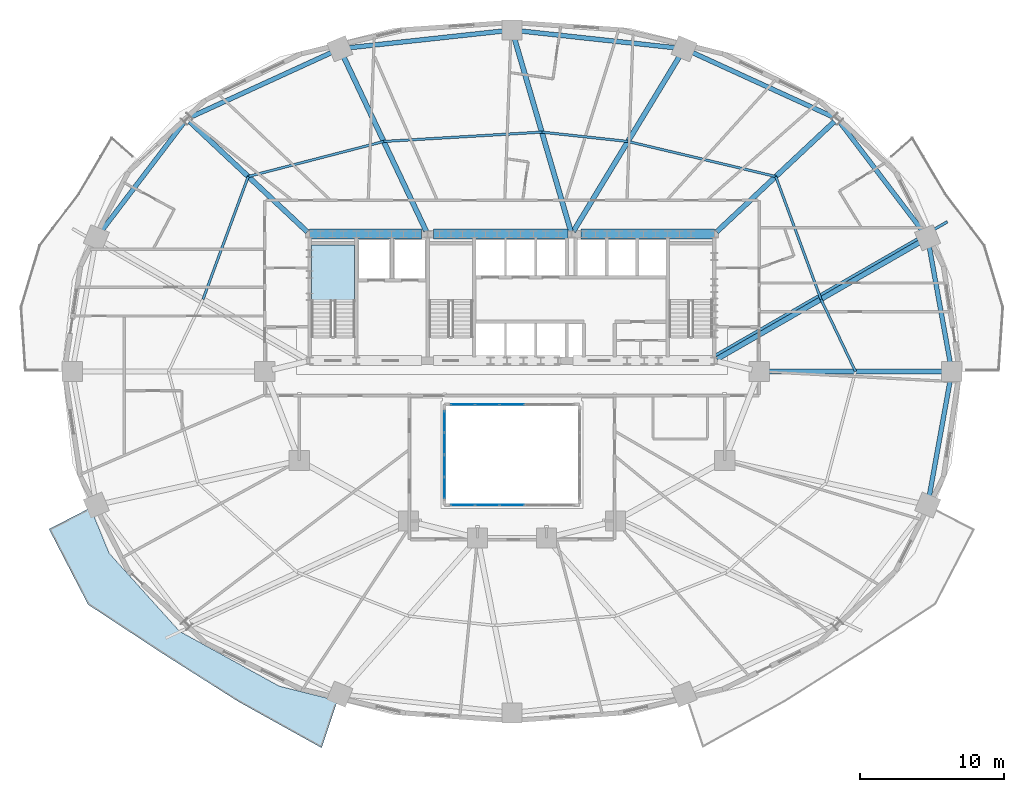
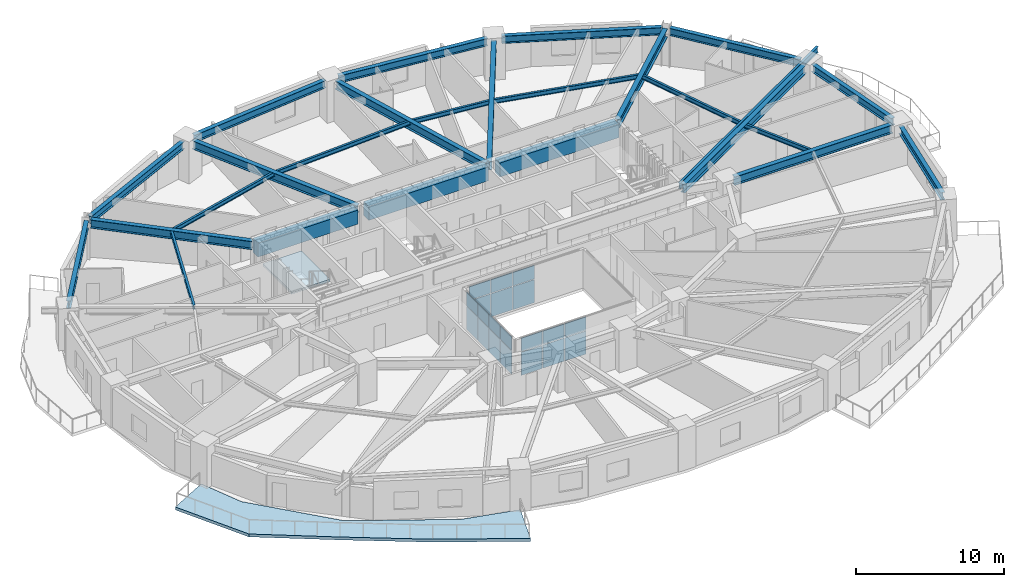
# One storey, part 7 of 18: 26 beams, 20 plates, 2 slabs, 4 elements without a shape of their own.
"""IFC4 building model written with IfcOpenShell, lengths in metres."""

from ifc_helpers import new_model, si_unit, direction, frame, origin, origin_2d, place, context, subcontext, project, spatial, polyline, rectangle, i_section, outline, extrude, material, layer, layer_set, material_profile, profile_set, type_object, element, aggregate, save


model = new_model("IFC4")

# Units and contexts
model_context = context("Model", 3, precision=1e-05, world=origin(), true_north=direction((0.0, 1.0)))
body_context = subcontext(model_context, "Body", "Model", "MODEL_VIEW")
ifc_project = project(units=[si_unit("LENGTHUNIT", "METRE"), si_unit("AREAUNIT", "SQUARE_METRE"), si_unit("VOLUMEUNIT", "CUBIC_METRE"), si_unit("PLANEANGLEUNIT", "RADIAN"), si_unit("MASSUNIT", "GRAM", prefix="KILO")], contexts=[model_context])

# Site, building, storey
site_placement = place(None, origin())
site = spatial("IfcSite", under=ifc_project, at=site_placement, CompositionType="ELEMENT")
building_placement = place(site_placement, origin())
building = spatial("IfcBuilding", under=site, at=building_placement, Name="Haldorwick Loom Tower", CompositionType="ELEMENT")
storey_placement = place(building_placement, frame((0.0, 0.0, 41.25)))
storey = spatial("IfcBuildingStorey", under=building, at=storey_placement, Name="L10", CompositionType="ELEMENT", Elevation=41.25)

# Beams
ifc_material_1 = material(Name="Steel CSA G40.21 350W", Category="steel")
ifc_material_profile_1 = material_profile(ifc_material_1, i_section(OverallWidth=0.193115234375, OverallDepth=0.466064453125, WebThickness=0.011474609375, FlangeThickness=0.01904296875, at=origin_2d()), Name="W460X97", Category="steel")
ifc_profile_set_1 = profile_set([ifc_material_profile_1], Name="Steel CSA G40.21 350W")
beam_type_1 = type_object("IfcBeamType", Name="STR-BM-BAL460", PredefinedType="BEAM", material=ifc_profile_set_1)
beam_1_placement = place(storey_placement, frame((50.125244140625, 27.10498046875, 2.97705078125), z_axis=(0.866607024941, 0.49899124674, 0.0), x_axis=(-0.49899124674, 0.866607024941, 0.0)))
element("IfcBeam", 1, at=beam_1_placement, inside=storey, type_object=beam_type_1, Name="L10 Continuous Back-Spanned Balcony Beam 4", PredefinedType="BEAM", context=body_context, shape_type="SweptSolid", body=[
    extrude(i_section(OverallWidth=0.193115234375, OverallDepth=0.466064453125, WebThickness=0.011474609375, FlangeThickness=0.01904296875, at=origin_2d()), origin(), (0.0, 0.0, 1.0), 18.65771484375),
])
ifc_material_2 = material(Name="Concrete C60 (60 MPa)", Category="concrete")
ifc_material_profile_2 = material_profile(ifc_material_2, rectangle(XDim=0.699951171875, YDim=1.14990234375, at=origin_2d()), Name="RC700X1150", Category="concrete")
ifc_profile_set_2 = profile_set([ifc_material_profile_2], Name="Concrete C60 (60 MPa)")
beam_type_2 = type_object("IfcBeamType", Name="STR-BM-CB1150", PredefinedType="LINTEL", material=ifc_profile_set_2)
beam_2_placement = place(storey_placement, frame((21.89990234375, 35.550048828125, 2.635009765625), z_axis=(1.0, 0.0, 0.0), x_axis=(0.0, 1.0, 0.0)))
element("IfcBeam", 2, at=beam_2_placement, inside=storey, type_object=beam_type_2, Name="L10 Core Coupling Beam CB-N1", PredefinedType="LINTEL", context=body_context, shape_type="SweptSolid", body=[
    extrude(rectangle(XDim=0.699951171875, YDim=1.14990234375, at=origin_2d()), origin(), (0.0, 0.0, 1.0), 7.800048828125),
])
beam_3_placement = place(storey_placement, frame((30.550048828125, 35.550048828125, 2.635009765625), z_axis=(1.0, 0.0, 0.0), x_axis=(0.0, 1.0, 0.0)))
element("IfcBeam", 3, at=beam_3_placement, inside=storey, type_object=beam_type_2, Name="L10 Core Coupling Beam CB-N2", PredefinedType="LINTEL", context=body_context, shape_type="SweptSolid", body=[
    extrude(rectangle(XDim=0.699951171875, YDim=1.14990234375, at=origin_2d()), origin(), (0.0, 0.0, 1.0), 9.349853515625),
])
beam_4_placement = place(storey_placement, frame((40.800048828125, 35.550048828125, 2.635009765625), z_axis=(1.0, 0.0, 0.0), x_axis=(0.0, 1.0, 0.0)))
element("IfcBeam", 4, at=beam_4_placement, inside=storey, type_object=beam_type_2, Name="L10 Core Coupling Beam CB-N3", PredefinedType="LINTEL", context=body_context, shape_type="SweptSolid", body=[
    extrude(rectangle(XDim=0.699951171875, YDim=1.14990234375, at=origin_2d()), origin(), (0.0, 0.0, 1.0), 9.300048828125),
])
ifc_material_profile_3 = material_profile(ifc_material_1, i_section(OverallWidth=0.172119140625, OverallDepth=0.35791015625, WebThickness=0.0078125, FlangeThickness=0.01318359375, at=origin_2d()), Name="W360X57", Category="steel")
ifc_profile_set_3 = profile_set([ifc_material_profile_3], Name="Steel CSA G40.21 350W")
beam_type_3 = type_object("IfcBeamType", Name="STR-BM-J360", PredefinedType="JOIST", material=ifc_profile_set_3)
beam_5_placement = place(storey_placement, frame((59.89794921875, 26.0, 3.031005859375), z_axis=(-0.431630738849, 0.902050389546, 0.0), x_axis=(-0.902050389546, -0.431630738849, 0.0)))
element("IfcBeam", 5, at=beam_5_placement, inside=storey, type_object=beam_type_3, Name="L10 Mid-Bay Secondary Joist 1", PredefinedType="JOIST", context=body_context, shape_type="SweptSolid", body=[
    extrude(i_section(OverallWidth=0.172119140625, OverallDepth=0.35791015625, WebThickness=0.0078125, FlangeThickness=0.01318359375, at=origin_2d()), origin(), (0.0, 0.0, 1.0), 5.5703125),
])
beam_6_placement = place(storey_placement, frame((57.49365234375, 31.024658203125, 3.031005859375), z_axis=(-0.345576005762, 0.938390763084, 0.0), x_axis=(-0.938390763084, -0.345576005762, 0.0)))
element("IfcBeam", 6, at=beam_6_placement, inside=storey, type_object=beam_type_3, Name="L10 Mid-Bay Secondary Joist 2", PredefinedType="JOIST", context=body_context, shape_type="SweptSolid", body=[
    extrude(i_section(OverallWidth=0.172119140625, OverallDepth=0.35791015625, WebThickness=0.0078125, FlangeThickness=0.01318359375, at=origin_2d()), origin(), (0.0, 0.0, 1.0), 9.0966796875),
])
beam_7_placement = place(storey_placement, frame((54.35009765625, 39.560791015625, 3.031005859375), z_axis=(-0.973016191143, 0.230736845289, 0.0), x_axis=(-0.230736845289, -0.973016191143, 0.0)))
element("IfcBeam", 7, at=beam_7_placement, inside=storey, type_object=beam_type_3, Name="L10 Mid-Bay Secondary Joist 3", PredefinedType="JOIST", context=body_context, shape_type="SweptSolid", body=[
    extrude(i_section(OverallWidth=0.172119140625, OverallDepth=0.35791015625, WebThickness=0.0078125, FlangeThickness=0.01318359375, at=origin_2d()), origin(), (0.0, 0.0, 1.0), 10.5712890625),
])
beam_8_placement = place(storey_placement, frame((44.06396484375, 42.0, 3.031005859375), z_axis=(-0.994163660215, 0.107882420753, 0.0), x_axis=(-0.107882420753, -0.994163660215, 0.0)))
element("IfcBeam", 8, at=beam_8_placement, inside=storey, type_object=beam_type_3, Name="L10 Mid-Bay Secondary Joist 4", PredefinedType="JOIST", context=body_context, shape_type="SweptSolid", body=[
    extrude(i_section(OverallWidth=0.172119140625, OverallDepth=0.35791015625, WebThickness=0.0078125, FlangeThickness=0.01318359375, at=origin_2d()), origin(), (0.0, 0.0, 1.0), 6.024169921875),
])
beam_9_placement = place(storey_placement, frame((38.074951171875, 42.64990234375, 3.031005859375), z_axis=(-0.998258904552, -0.058984400336, 0.0), x_axis=(0.058984400336, -0.998258904552, 0.0)))
element("IfcBeam", 9, at=beam_9_placement, inside=storey, type_object=beam_type_3, Name="L10 Mid-Bay Secondary Joist 5", PredefinedType="JOIST", context=body_context, shape_type="SweptSolid", body=[
    extrude(i_section(OverallWidth=0.172119140625, OverallDepth=0.35791015625, WebThickness=0.0078125, FlangeThickness=0.01318359375, at=origin_2d()), origin(), (0.0, 0.0, 1.0), 11.018310546875),
])
beam_10_placement = place(storey_placement, frame((27.075927734375, 42.0, 3.031005859375), z_axis=(-0.968110955806, -0.250521809927, 0.0), x_axis=(0.250521809927, -0.968110955806, 0.0)))
element("IfcBeam", 10, at=beam_10_placement, inside=storey, type_object=beam_type_3, Name="L10 Mid-Bay Secondary Joist 6", PredefinedType="JOIST", context=body_context, shape_type="SweptSolid", body=[
    extrude(i_section(OverallWidth=0.172119140625, OverallDepth=0.35791015625, WebThickness=0.0078125, FlangeThickness=0.01318359375, at=origin_2d()), origin(), (0.0, 0.0, 1.0), 9.736572265625),
])
beam_11_placement = place(storey_placement, frame((17.64990234375, 39.560791015625, 3.031005859375), z_axis=(-0.345576005762, -0.938390763084, 0.0), x_axis=(0.938390763084, -0.345576005762, 0.0)))
element("IfcBeam", 11, at=beam_11_placement, inside=storey, type_object=beam_type_3, Name="L10 Mid-Bay Secondary Joist 7", PredefinedType="JOIST", context=body_context, shape_type="SweptSolid", body=[
    extrude(i_section(OverallWidth=0.172119140625, OverallDepth=0.35791015625, WebThickness=0.0078125, FlangeThickness=0.01318359375, at=origin_2d()), origin(), (0.0, 0.0, 1.0), 9.0966796875),
])
ifc_material_profile_4 = material_profile(ifc_material_1, i_section(OverallWidth=0.324951171875, OverallDepth=0.615966796875, WebThickness=0.013916015625, FlangeThickness=0.021484375, at=origin_2d()), Name="W610X174", Category="steel")
ifc_profile_set_4 = profile_set([ifc_material_profile_4], Name="Steel CSA G40.21 350W")
beam_type_4 = type_object("IfcBeamType", Name="STR-BM-SP610", PredefinedType="SPANDREL", material=ifc_profile_set_4)
beam_12_placement = place(storey_placement, frame((66.503662109375, 26.51171875, 2.902099609375), z_axis=(-0.177641139482, 0.984095333575, 0.0), x_axis=(-0.984095333575, -0.177641139482, 0.0)))
element("IfcBeam", 12, at=beam_12_placement, inside=storey, type_object=beam_type_4, Name="L10 Perimeter Spandrel 1", PredefinedType="SPANDREL", context=body_context, shape_type="SweptSolid", body=[
    extrude(i_section(OverallWidth=0.324951171875, OverallDepth=0.615966796875, WebThickness=0.013916015625, FlangeThickness=0.021484375, at=origin_2d()), origin(), (0.0, 0.0, 1.0), 8.40966796875),
])
beam_13_placement = place(storey_placement, frame((64.602783203125, 35.713134765625, 2.902099609375), z_axis=(-0.605084557744, 0.796161213562, 0.0), x_axis=(-0.796161213562, -0.605084557744, 0.0)))
element("IfcBeam", 13, at=beam_13_placement, inside=storey, type_object=beam_type_4, Name="L10 Perimeter Spandrel 2", PredefinedType="SPANDREL", context=body_context, shape_type="SweptSolid", body=[
    extrude(i_section(OverallWidth=0.324951171875, OverallDepth=0.615966796875, WebThickness=0.013916015625, FlangeThickness=0.021484375, at=origin_2d()), origin(), (0.0, 0.0, 1.0), 9.595703125),
])
beam_14_placement = place(storey_placement, frame((58.380126953125, 43.68603515625, 2.902099609375), z_axis=(-0.909173805321, 0.416416848504, 0.0), x_axis=(-0.416416848504, -0.909173805321, 0.0)))
element("IfcBeam", 14, at=beam_14_placement, inside=storey, type_object=beam_type_4, Name="L10 Perimeter Spandrel 3", PredefinedType="SPANDREL", context=body_context, shape_type="SweptSolid", body=[
    extrude(i_section(OverallWidth=0.324951171875, OverallDepth=0.615966796875, WebThickness=0.013916015625, FlangeThickness=0.021484375, at=origin_2d()), origin(), (0.0, 0.0, 1.0), 10.92138671875),
])
for number, where, z_axis, x_axis, name in (
    (15, (47.4609375, 48.50634765625, 2.902099609375), (-0.994164438636, 0.107875247167, 0.0), (-0.107875247167, -0.994164438636, 0.0), "L10 Perimeter Spandrel 4"),
    (16, (35.48291015625, 49.69384765625, 2.902099609375), (-0.994164438636, -0.107875247167, 0.0), (0.107875247167, -0.994164438636, 0.0), "L10 Perimeter Spandrel 5"),
):
    element("IfcBeam", number, at=place(storey_placement, frame(where, z_axis=z_axis, x_axis=x_axis)), inside=storey, type_object=beam_type_4, Name=name, PredefinedType="SPANDREL", context=body_context, shape_type="SweptSolid", body=[
        extrude(i_section(OverallWidth=0.324951171875, OverallDepth=0.615966796875, WebThickness=0.013916015625, FlangeThickness=0.021484375, at=origin_2d()), origin(), (0.0, 0.0, 1.0), 11.008056640625),
    ])
beam_15_placement = place(storey_placement, frame((23.54931640625, 48.23388671875, 2.902099609375), z_axis=(-0.909173805321, -0.416416848504, 0.0), x_axis=(0.416416848504, -0.909173805321, 0.0)))
element("IfcBeam", 17, at=beam_15_placement, inside=storey, type_object=beam_type_4, Name="L10 Perimeter Spandrel 6", PredefinedType="SPANDREL", context=body_context, shape_type="SweptSolid", body=[
    extrude(i_section(OverallWidth=0.324951171875, OverallDepth=0.615966796875, WebThickness=0.013916015625, FlangeThickness=0.021484375, at=origin_2d()), origin(), (0.0, 0.0, 1.0), 10.92138671875),
])
beam_16_placement = place(storey_placement, frame((13.203369140625, 43.352783203125, 2.902099609375), z_axis=(-0.605084557744, -0.796161213562, 0.0), x_axis=(0.796161213562, -0.605084557744, 0.0)))
element("IfcBeam", 18, at=beam_16_placement, inside=storey, type_object=beam_type_4, Name="L10 Perimeter Spandrel 7", PredefinedType="SPANDREL", context=body_context, shape_type="SweptSolid", body=[
    extrude(i_section(OverallWidth=0.324951171875, OverallDepth=0.615966796875, WebThickness=0.013916015625, FlangeThickness=0.021484375, at=origin_2d()), origin(), (0.0, 0.0, 1.0), 9.595703125),
])
beam_17_placement = place(storey_placement, frame((65.009765625, 17.21240234375, 2.902099609375), z_axis=(0.177641139482, 0.984095333575, 0.0), x_axis=(-0.984095333575, 0.177641139482, 0.0)))
element("IfcBeam", 19, at=beam_17_placement, inside=storey, type_object=beam_type_4, Name="L10 Perimeter Spandrel 16", PredefinedType="SPANDREL", context=body_context, shape_type="SweptSolid", body=[
    extrude(i_section(OverallWidth=0.324951171875, OverallDepth=0.615966796875, WebThickness=0.013916015625, FlangeThickness=0.021484375, at=origin_2d()), origin(), (0.0, 0.0, 1.0), 8.40966796875),
])
ifc_material_profile_5 = material_profile(ifc_material_1, i_section(OverallWidth=0.35498046875, OverallDepth=0.695068359375, WebThickness=0.015380859375, FlangeThickness=0.02490234375, at=origin_2d()), Name="W690X217", Category="steel")
ifc_profile_set_5 = profile_set([ifc_material_profile_5], Name="Steel CSA G40.21 350W")
beam_type_5 = type_object("IfcBeamType", Name="STR-BM-W690", PredefinedType="BEAM", material=ifc_profile_set_5)
beam_18_placement = place(storey_placement, frame((53.719970703125, 26.0, 2.862548828125), z_axis=(1.0, 0.0, 0.0), x_axis=(0.0, 1.0, 0.0)))
element("IfcBeam", 20, at=beam_18_placement, inside=storey, type_object=beam_type_5, Name="L10 Radial Floor Girder 1", PredefinedType="BEAM", context=body_context, shape_type="SweptSolid", body=[
    extrude(i_section(OverallWidth=0.35498046875, OverallDepth=0.695068359375, WebThickness=0.015380859375, FlangeThickness=0.02490234375, at=origin_2d()), origin(), (0.0, 0.0, 1.0), 12.35595703125),
])
beam_19_placement = place(storey_placement, frame((50.264892578125, 26.8623046875, 2.862548828125), z_axis=(0.86660566838, 0.498993602696, 0.0), x_axis=(-0.498993602696, 0.86660566838, 0.0)))
element("IfcBeam", 21, at=beam_19_placement, inside=storey, type_object=beam_type_5, Name="L10 Radial Floor Girder 2", PredefinedType="BEAM", context=body_context, shape_type="SweptSolid", body=[
    extrude(i_section(OverallWidth=0.35498046875, OverallDepth=0.695068359375, WebThickness=0.015380859375, FlangeThickness=0.02490234375, at=origin_2d()), origin(), (0.0, 0.0, 1.0), 16.387939453125),
])
beam_20_placement = place(storey_placement, frame((50.234130859375, 35.703857421875, 2.862548828125), z_axis=(0.729689033278, 0.683779141766, 0.0), x_axis=(-0.683779141766, 0.729689033278, 0.0)))
element("IfcBeam", 22, at=beam_20_placement, inside=storey, type_object=beam_type_5, Name="L10 Radial Floor Girder 3", PredefinedType="BEAM", context=body_context, shape_type="SweptSolid", body=[
    extrude(i_section(OverallWidth=0.35498046875, OverallDepth=0.695068359375, WebThickness=0.015380859375, FlangeThickness=0.02490234375, at=origin_2d()), origin(), (0.0, 0.0, 1.0), 11.231201171875),
])
beam_21_placement = place(storey_placement, frame((40.2666015625, 35.742431640625, 2.862548828125), z_axis=(0.518781813409, 0.854906679162, 0.0), x_axis=(-0.854906679162, 0.518781813409, 0.0)))
element("IfcBeam", 23, at=beam_21_placement, inside=storey, type_object=beam_type_5, Name="L10 Radial Floor Girder 4", PredefinedType="BEAM", context=body_context, shape_type="SweptSolid", body=[
    extrude(i_section(OverallWidth=0.35498046875, OverallDepth=0.695068359375, WebThickness=0.015380859375, FlangeThickness=0.02490234375, at=origin_2d()), origin(), (0.0, 0.0, 1.0), 14.344482421875),
])
beam_22_placement = place(storey_placement, frame((40.0869140625, 35.76611328125, 2.862548828125), z_axis=(-0.28051378914, 0.959849995625, 0.0), x_axis=(-0.959849995625, -0.28051378914, 0.0)))
element("IfcBeam", 24, at=beam_22_placement, inside=storey, type_object=beam_type_5, Name="L10 Radial Floor Girder 5", PredefinedType="BEAM", context=body_context, shape_type="SweptSolid", body=[
    extrude(i_section(OverallWidth=0.35498046875, OverallDepth=0.695068359375, WebThickness=0.015380859375, FlangeThickness=0.02490234375, at=origin_2d()), origin(), (0.0, 0.0, 1.0), 14.048828125),
])
beam_23_placement = place(storey_placement, frame((30.03369140625, 35.75341796875, 2.862548828125), z_axis=(-0.427945149389, 0.903804707398, 0.0), x_axis=(-0.903804707398, -0.427945149389, 0.0)))
element("IfcBeam", 25, at=beam_23_placement, inside=storey, type_object=beam_type_5, Name="L10 Radial Floor Girder 6", PredefinedType="BEAM", context=body_context, shape_type="SweptSolid", body=[
    extrude(i_section(OverallWidth=0.35498046875, OverallDepth=0.695068359375, WebThickness=0.015380859375, FlangeThickness=0.02490234375, at=origin_2d()), origin(), (0.0, 0.0, 1.0), 13.528076171875),
])
beam_24_placement = place(storey_placement, frame((21.765869140625, 35.703857421875, 2.862548828125), z_axis=(-0.729689033278, 0.683779141766, 0.0), x_axis=(-0.683779141766, -0.729689033278, 0.0)))
element("IfcBeam", 26, at=beam_24_placement, inside=storey, type_object=beam_type_5, Name="L10 Radial Floor Girder 7", PredefinedType="BEAM", context=body_context, shape_type="SweptSolid", body=[
    extrude(i_section(OverallWidth=0.35498046875, OverallDepth=0.695068359375, WebThickness=0.015380859375, FlangeThickness=0.02490234375, at=origin_2d()), origin(), (0.0, 0.0, 1.0), 11.231201171875),
])

# Curtain wall, plates
ifc_material_3 = material(Name="Thermally Broken Anodized Aluminium Curtain Wall Framing", Category="aluminium")
curtain_wall_type = type_object("IfcCurtainWallType", Name="ARC-CW-03", PredefinedType="NOTDEFINED", material=ifc_material_3)
curtain_wall_1_placement = place(storey_placement, origin())
curtain_wall_1 = element("IfcCurtainWall", 27, at=curtain_wall_1_placement, inside=storey, type_object=curtain_wall_type, Name="L10 Atrium Glazed Screen S", PredefinedType="NOTDEFINED")
ifc_material_4 = material(Name="Triple-Glazed Low-E Argon Insulated Glazing Unit", Category="glass")
ifc_layer_1 = layer(ifc_material_4, 0.04296875, Name="Triple-Glazed Low-E Argon Insulated Glazing Unit", Category="glass")
ifc_layer_set_1 = layer_set([ifc_layer_1], Name="Triple-Glazed Low-E Argon Insulated Glazing Unit")
plate_type = type_object("IfcPlateType", Name="ARC-CWP-03", PredefinedType="CURTAIN_PANEL", material=ifc_layer_set_1)
plate_1_placement = place(storey_placement, frame((36.0, 16.699951171875, 0.066162109375), z_axis=(0.0, 0.0, 1.0), x_axis=(-1.0, 0.0, 0.0)))
plate_1 = element("IfcPlate", 28, at=plate_1_placement, type_object=plate_type, Name="CW-03 panel 3.1", PredefinedType="CURTAIN_PANEL", context=body_context, shape_type="SweptSolid", body=[
    extrude(rectangle(XDim=1.654052734375, YDim=0.04296875, at=origin_2d()), origin(), (0.0, 0.0, 1.0), 1.90087890625),
])
plate_2_placement = place(storey_placement, frame((36.0, 16.699951171875, 2.03271484375), z_axis=(0.0, 0.0, 1.0), x_axis=(-1.0, 0.0, 0.0)))
plate_2 = element("IfcPlate", 29, at=plate_2_placement, type_object=plate_type, Name="CW-03 panel 3.2", PredefinedType="CURTAIN_PANEL", context=body_context, shape_type="SweptSolid", body=[
    extrude(rectangle(XDim=1.654052734375, YDim=0.04296875, at=origin_2d()), origin(), (0.0, 0.0, 1.0), 1.111083984375),
])
plate_3_placement = place(storey_placement, frame((34.280029296875, 16.699951171875, 0.066162109375), z_axis=(0.0, 0.0, 1.0), x_axis=(-1.0, 0.0, 0.0)))
plate_3 = element("IfcPlate", 30, at=plate_3_placement, type_object=plate_type, Name="CW-03 panel 4.1", PredefinedType="CURTAIN_PANEL", context=body_context, shape_type="SweptSolid", body=[
    extrude(rectangle(XDim=1.654052734375, YDim=0.04296875, at=origin_2d()), origin(), (0.0, 0.0, 1.0), 1.90087890625),
])
plate_4_placement = place(storey_placement, frame((34.280029296875, 16.699951171875, 2.03271484375), z_axis=(0.0, 0.0, 1.0), x_axis=(-1.0, 0.0, 0.0)))
plate_4 = element("IfcPlate", 31, at=plate_4_placement, type_object=plate_type, Name="CW-03 panel 4.2", PredefinedType="CURTAIN_PANEL", context=body_context, shape_type="SweptSolid", body=[
    extrude(rectangle(XDim=1.654052734375, YDim=0.04296875, at=origin_2d()), origin(), (0.0, 0.0, 1.0), 1.111083984375),
])
plate_5_placement = place(storey_placement, frame((32.576416015625, 16.699951171875, 0.066162109375), z_axis=(0.0, 0.0, 1.0), x_axis=(-1.0, 0.0, 0.0)))
plate_5 = element("IfcPlate", 32, at=plate_5_placement, type_object=plate_type, Name="CW-03 panel 5.1", PredefinedType="CURTAIN_PANEL", context=body_context, shape_type="SweptSolid", body=[
    extrude(rectangle(XDim=1.62109375, YDim=0.04296875, at=origin_2d()), origin(), (0.0, 0.0, 1.0), 1.90087890625),
])
plate_6_placement = place(storey_placement, frame((32.576416015625, 16.699951171875, 2.03271484375), z_axis=(0.0, 0.0, 1.0), x_axis=(-1.0, 0.0, 0.0)))
plate_6 = element("IfcPlate", 33, at=plate_6_placement, type_object=plate_type, Name="CW-03 panel 5.2", PredefinedType="CURTAIN_PANEL", context=body_context, shape_type="SweptSolid", body=[
    extrude(rectangle(XDim=1.62109375, YDim=0.04296875, at=origin_2d()), origin(), (0.0, 0.0, 1.0), 1.111083984375),
])
aggregate(curtain_wall_1, [plate_1, plate_2, plate_3, plate_4, plate_5, plate_6])

curtain_wall_2_placement = place(storey_placement, origin())
curtain_wall_2 = element("IfcCurtainWall", 34, at=curtain_wall_2_placement, inside=storey, type_object=curtain_wall_type, Name="L10 Atrium Glazed Screen N", PredefinedType="NOTDEFINED")
plate_7_placement = place(storey_placement, frame((32.576416015625, 23.699951171875, 0.066162109375), z_axis=(0.0, 0.0, 1.0), x_axis=(1.0, 0.0, 0.0)))
plate_7 = element("IfcPlate", 35, at=plate_7_placement, type_object=plate_type, Name="CW-03 panel 1.1", PredefinedType="CURTAIN_PANEL", context=body_context, shape_type="SweptSolid", body=[
    extrude(rectangle(XDim=1.62109375, YDim=0.04296875, at=origin_2d()), origin(), (0.0, 0.0, 1.0), 1.90087890625),
])
plate_8_placement = place(storey_placement, frame((32.576416015625, 23.699951171875, 2.03271484375), z_axis=(0.0, 0.0, 1.0), x_axis=(1.0, 0.0, 0.0)))
plate_8 = element("IfcPlate", 36, at=plate_8_placement, type_object=plate_type, Name="CW-03 panel 1.2", PredefinedType="CURTAIN_PANEL", context=body_context, shape_type="SweptSolid", body=[
    extrude(rectangle(XDim=1.62109375, YDim=0.04296875, at=origin_2d()), origin(), (0.0, 0.0, 1.0), 1.111083984375),
])
plate_9_placement = place(storey_placement, frame((34.280029296875, 23.699951171875, 0.066162109375), z_axis=(0.0, 0.0, 1.0), x_axis=(1.0, 0.0, 0.0)))
plate_9 = element("IfcPlate", 37, at=plate_9_placement, type_object=plate_type, Name="CW-03 panel 2.1", PredefinedType="CURTAIN_PANEL", context=body_context, shape_type="SweptSolid", body=[
    extrude(rectangle(XDim=1.654052734375, YDim=0.04296875, at=origin_2d()), origin(), (0.0, 0.0, 1.0), 1.90087890625),
])
plate_10_placement = place(storey_placement, frame((34.280029296875, 23.699951171875, 2.03271484375), z_axis=(0.0, 0.0, 1.0), x_axis=(1.0, 0.0, 0.0)))
plate_10 = element("IfcPlate", 38, at=plate_10_placement, type_object=plate_type, Name="CW-03 panel 2.2", PredefinedType="CURTAIN_PANEL", context=body_context, shape_type="SweptSolid", body=[
    extrude(rectangle(XDim=1.654052734375, YDim=0.04296875, at=origin_2d()), origin(), (0.0, 0.0, 1.0), 1.111083984375),
])
plate_11_placement = place(storey_placement, frame((36.0, 23.699951171875, 0.066162109375), z_axis=(0.0, 0.0, 1.0), x_axis=(1.0, 0.0, 0.0)))
plate_11 = element("IfcPlate", 39, at=plate_11_placement, type_object=plate_type, Name="CW-03 panel 3.1", PredefinedType="CURTAIN_PANEL", context=body_context, shape_type="SweptSolid", body=[
    extrude(rectangle(XDim=1.654052734375, YDim=0.04296875, at=origin_2d()), origin(), (0.0, 0.0, 1.0), 1.90087890625),
])
plate_12_placement = place(storey_placement, frame((36.0, 23.699951171875, 2.03271484375), z_axis=(0.0, 0.0, 1.0), x_axis=(1.0, 0.0, 0.0)))
plate_12 = element("IfcPlate", 40, at=plate_12_placement, type_object=plate_type, Name="CW-03 panel 3.2", PredefinedType="CURTAIN_PANEL", context=body_context, shape_type="SweptSolid", body=[
    extrude(rectangle(XDim=1.654052734375, YDim=0.04296875, at=origin_2d()), origin(), (0.0, 0.0, 1.0), 1.111083984375),
])
aggregate(curtain_wall_2, [plate_7, plate_8, plate_9, plate_10, plate_11, plate_12])

curtain_wall_3_placement = place(storey_placement, origin())
curtain_wall_3 = element("IfcCurtainWall", 41, at=curtain_wall_3_placement, inside=storey, type_object=curtain_wall_type, Name="L10 Atrium Glazed Screen W", PredefinedType="NOTDEFINED")
plate_13_placement = place(storey_placement, frame((31.300048828125, 17.8916015625, 0.066162109375), z_axis=(0.0, 0.0, 1.0), x_axis=(0.0, 1.0, 0.0)))
plate_13 = element("IfcPlate", 42, at=plate_13_placement, type_object=plate_type, Name="CW-03 panel 1.1", PredefinedType="CURTAIN_PANEL", context=body_context, shape_type="SweptSolid", body=[
    extrude(rectangle(XDim=1.450927734375, YDim=0.04296875, at=origin_2d()), origin(), (0.0, 0.0, 1.0), 1.90087890625),
])
plate_14_placement = place(storey_placement, frame((31.300048828125, 17.8916015625, 2.03271484375), z_axis=(0.0, 0.0, 1.0), x_axis=(0.0, 1.0, 0.0)))
plate_14 = element("IfcPlate", 43, at=plate_14_placement, type_object=plate_type, Name="CW-03 panel 1.2", PredefinedType="CURTAIN_PANEL", context=body_context, shape_type="SweptSolid", body=[
    extrude(rectangle(XDim=1.450927734375, YDim=0.04296875, at=origin_2d()), origin(), (0.0, 0.0, 1.0), 1.111083984375),
])
plate_15_placement = place(storey_placement, frame((31.300048828125, 19.425048828125, 0.066162109375), z_axis=(0.0, 0.0, 1.0), x_axis=(0.0, 1.0, 0.0)))
plate_15 = element("IfcPlate", 44, at=plate_15_placement, type_object=plate_type, Name="CW-03 panel 2.1", PredefinedType="CURTAIN_PANEL", context=body_context, shape_type="SweptSolid", body=[
    extrude(rectangle(XDim=1.48388671875, YDim=0.04296875, at=origin_2d()), origin(), (0.0, 0.0, 1.0), 1.90087890625),
])
plate_16_placement = place(storey_placement, frame((31.300048828125, 19.425048828125, 2.03271484375), z_axis=(0.0, 0.0, 1.0), x_axis=(0.0, 1.0, 0.0)))
plate_16 = element("IfcPlate", 45, at=plate_16_placement, type_object=plate_type, Name="CW-03 panel 2.2", PredefinedType="CURTAIN_PANEL", context=body_context, shape_type="SweptSolid", body=[
    extrude(rectangle(XDim=1.48388671875, YDim=0.04296875, at=origin_2d()), origin(), (0.0, 0.0, 1.0), 1.111083984375),
])
plate_17_placement = place(storey_placement, frame((31.300048828125, 20.97509765625, 0.066162109375), z_axis=(0.0, 0.0, 1.0), x_axis=(0.0, 1.0, 0.0)))
plate_17 = element("IfcPlate", 46, at=plate_17_placement, type_object=plate_type, Name="CW-03 panel 3.1", PredefinedType="CURTAIN_PANEL", context=body_context, shape_type="SweptSolid", body=[
    extrude(rectangle(XDim=1.48388671875, YDim=0.04296875, at=origin_2d()), origin(), (0.0, 0.0, 1.0), 1.90087890625),
])
plate_18_placement = place(storey_placement, frame((31.300048828125, 20.97509765625, 2.03271484375), z_axis=(0.0, 0.0, 1.0), x_axis=(0.0, 1.0, 0.0)))
plate_18 = element("IfcPlate", 47, at=plate_18_placement, type_object=plate_type, Name="CW-03 panel 3.2", PredefinedType="CURTAIN_PANEL", context=body_context, shape_type="SweptSolid", body=[
    extrude(rectangle(XDim=1.48388671875, YDim=0.04296875, at=origin_2d()), origin(), (0.0, 0.0, 1.0), 1.111083984375),
])
plate_19_placement = place(storey_placement, frame((31.300048828125, 22.508544921875, 0.066162109375), z_axis=(0.0, 0.0, 1.0), x_axis=(0.0, 1.0, 0.0)))
plate_19 = element("IfcPlate", 48, at=plate_19_placement, type_object=plate_type, Name="CW-03 panel 4.1", PredefinedType="CURTAIN_PANEL", context=body_context, shape_type="SweptSolid", body=[
    extrude(rectangle(XDim=1.450927734375, YDim=0.04296875, at=origin_2d()), origin(), (0.0, 0.0, 1.0), 1.90087890625),
])
plate_20_placement = place(storey_placement, frame((31.300048828125, 22.508544921875, 2.03271484375), z_axis=(0.0, 0.0, 1.0), x_axis=(0.0, 1.0, 0.0)))
plate_20 = element("IfcPlate", 49, at=plate_20_placement, type_object=plate_type, Name="CW-03 panel 4.2", PredefinedType="CURTAIN_PANEL", context=body_context, shape_type="SweptSolid", body=[
    extrude(rectangle(XDim=1.450927734375, YDim=0.04296875, at=origin_2d()), origin(), (0.0, 0.0, 1.0), 1.111083984375),
])
aggregate(curtain_wall_3, [plate_13, plate_14, plate_15, plate_16, plate_17, plate_18, plate_19, plate_20])

# Slab
ifc_material_5 = material(Name="Concrete C40 (40 MPa)", Category="concrete")
ifc_layer_2 = layer(ifc_material_5, 0.239990234375, Name="Concrete C40 (40 MPa)", Category="concrete")
ifc_layer_set_2 = layer_set([ifc_layer_2], Name="Concrete C40 (40 MPa)")
slab_type_1 = type_object("IfcSlabType", Name="STR-SLB-BAL240", PredefinedType="FLOOR", material=ifc_layer_set_2)
slab_1_placement = place(storey_placement, frame((0.0, 0.0, -0.239990234375)))
element("IfcSlab", 50, at=slab_1_placement, inside=storey, type_object=slab_type_1, Name="L10 Sinusoidal Balcony Terrace BAL_SW", PredefinedType="FLOOR", context=body_context, shape_type="SweptSolid", body=[
    extrude(outline(polyline([(23.84814453125, 3.091064453125), (19.8203125, 4.0966796875), (19.819091796875, 4.096923828125), (19.81787109375, 4.097412109375), (19.81689453125, 4.09814453125), (12.86767578125, 7.92041015625), (12.8662109375, 7.921142578125), (12.86474609375, 7.922119140625), (12.86376953125, 7.92333984375), (7.97119140625, 13.3525390625), (7.97021484375, 13.353515625), (7.969482421875, 13.3544921875), (7.968994140625, 13.355712890625), (7.968505859375, 13.356689453125), (6.675537109375, 16.51708984375), (3.791015625, 15.03076171875), (6.50927734375, 9.7822265625), (11.669189453125, 6.390380859375), (16.972412109375, 3.0263671875), (22.75341796875, -0.189208984375), (23.84814453125, 3.091064453125)])), origin(), (0.0, 0.0, 1.0), 0.239990234375),
])

# Stair, slab
stair_type = type_object("IfcStairType", Name="STR-STR-CORE", PredefinedType="HALF_TURN_STAIR", material=ifc_material_5)
stair_placement = place(storey_placement, origin())
stair = element("IfcStair", 51, at=stair_placement, inside=storey, type_object=stair_type, Name="L10 Exit Stair ST-01", PredefinedType="HALF_TURN_STAIR")
ifc_layer_3 = layer(ifc_material_5, 0.199951171875, Name="Concrete C40 (40 MPa)", Category="concrete")
ifc_layer_set_3 = layer_set([ifc_layer_3], Name="Concrete C40 (40 MPa)")
slab_type_2 = type_object("IfcSlabType", Name="STR-SLB-LAND200", PredefinedType="LANDING", material=ifc_layer_set_3)
slab_2_placement = place(storey_placement, frame((0.0, 0.0, 1.52490234375)))
slab_2 = element("IfcSlab", 52, at=slab_2_placement, type_object=slab_type_2, Name="ST-01 landing 1", PredefinedType="LANDING", context=body_context, shape_type="SweptSolid", body=[
    extrude(outline(polyline([(25.050048828125, 30.919921875), (25.050048828125, 34.800048828125), (22.050048828125, 34.800048828125), (22.050048828125, 30.919921875), (25.050048828125, 30.919921875)])), origin(), (0.0, 0.0, 1.0), 0.2001953125),
])
aggregate(stair, [slab_2])

save(model, "model.ifc")
